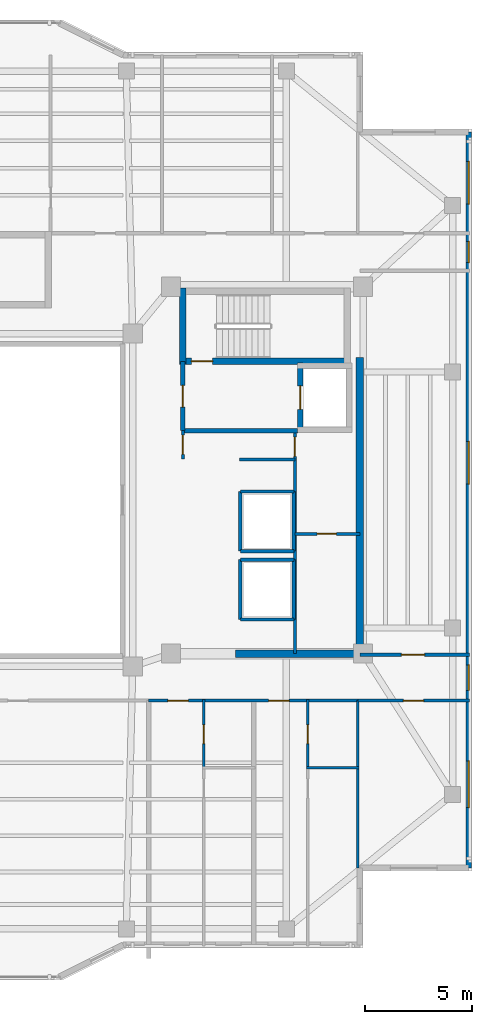
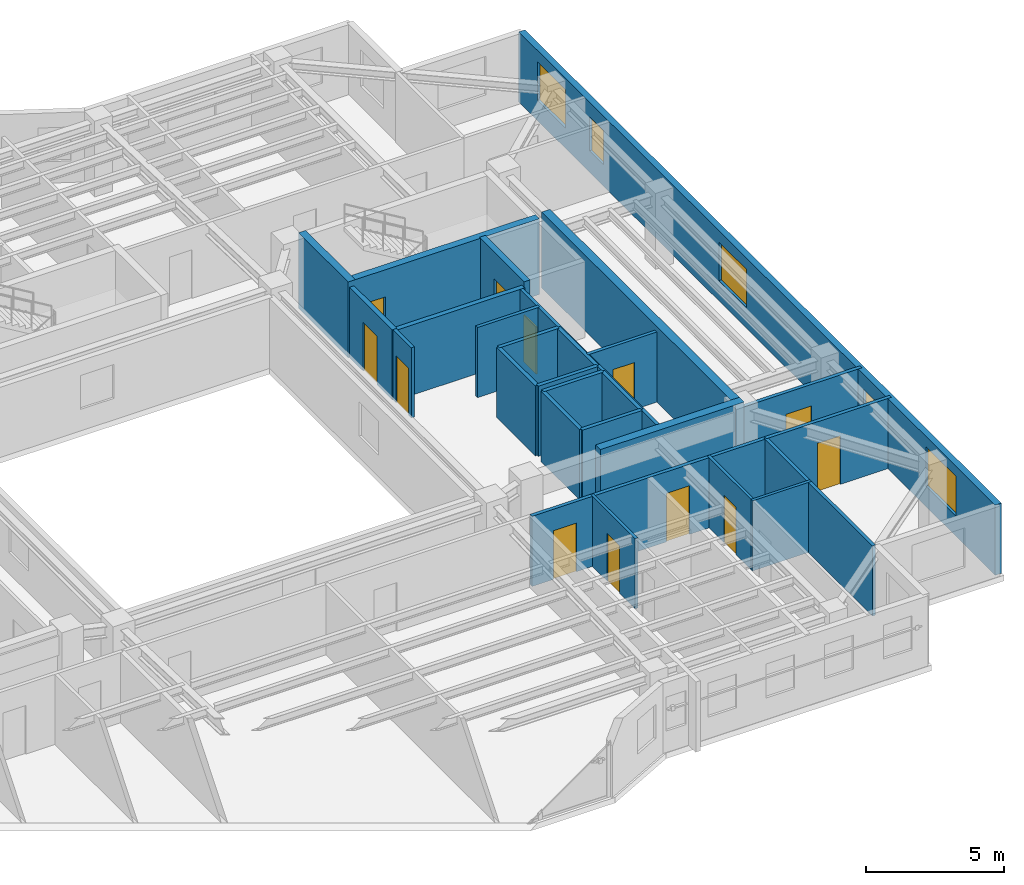
# One storey, part 8 of 13: 27 walls, 12 doors, 5 windows, 17 openings.
"""IFC4 building model written with IfcOpenShell, lengths in metres."""

from ifc_helpers import new_model, si_unit, direction, frame, frame_2d, origin, place, context, subcontext, project, spatial, rectangle, extrude, material, layer, layer_set, type_object, element, fill, save


model = new_model("IFC4")

# Units and contexts
model_context = context("Model", 3, precision=1e-05, world=origin(), true_north=direction((0.0, 1.0)))
body_context = subcontext(model_context, "Body", "Model", "MODEL_VIEW")
ifc_project = project(units=[si_unit("LENGTHUNIT", "METRE"), si_unit("AREAUNIT", "SQUARE_METRE"), si_unit("VOLUMEUNIT", "CUBIC_METRE"), si_unit("PLANEANGLEUNIT", "RADIAN"), si_unit("MASSUNIT", "GRAM", prefix="KILO")], contexts=[model_context])

# Site, building, storey
site_placement = place(None, origin())
site = spatial("IfcSite", under=ifc_project, at=site_placement, CompositionType="ELEMENT")
building_placement = place(site_placement, origin())
building = spatial("IfcBuilding", under=site, at=building_placement, Name="Tarnavaz Court Tower", CompositionType="ELEMENT")
storey_placement = place(building_placement, frame((0.0, 0.0, 193.60009765625)))
storey = spatial("IfcBuildingStorey", under=building, at=storey_placement, Name="L52", CompositionType="ELEMENT", Elevation=193.60009765625)

# Wall, opening, door
ifc_material_1 = material(Name="Concrete C50/60", Category="concrete")
ifc_layer_1 = layer(ifc_material_1, 0.25)
ifc_layer_set_1 = layer_set([ifc_layer_1], Name="Concrete C50/60")
wall_type_1 = type_object("IfcWallType", Name="WL-CORE-250-C50", PredefinedType="SHEAR", material=ifc_layer_set_1)
wall_1_placement = place(storey_placement, frame((15.64990234375, 3.175048828125, 0.0), z_axis=(0.0, 0.0, 1.0), x_axis=(0.0, 1.0, 0.0)))
wall_1 = element("IfcWall", 1, at=wall_1_placement, inside=storey, type_object=wall_type_1, Name="L52 Lift FL-E1 Shaft Wall 033", PredefinedType="SHEAR", context=body_context, shape_type="SweptSolid", body=[
    extrude(rectangle(XDim=3.25, YDim=0.25, at=frame_2d((1.625, 0.0))), origin(), (0.0, 0.0, 1.0), 3.349853515625),
])
opening_1_placement = place(wall_1_placement, frame((1.074951171875, 0.0, 0.0)))
opening_1 = element("IfcOpeningElement", 2, at=opening_1_placement, cuts=wall_1, Name="Opening LD1", PredefinedType="OPENING", context=body_context, shape_type="SweptSolid", body=[
    extrude(rectangle(XDim=1.10009765625, YDim=2.14990234375, at=frame_2d((0.550048828125, 1.074951171875))), frame((0.0, 0.135009765625, 0.0), z_axis=(0.0, -1.0, 0.0), x_axis=(1.0, 0.0, 0.0)), (0.0, 0.0, 1.0), 0.27001953125),
])
ifc_material_2 = material(Name="Stainless Steel", Category="steel")
door_type_1 = type_object("IfcDoorType", Name="DR-LD-1100", OperationType="NOTDEFINED", PredefinedType="DOOR", material=ifc_material_2)
door_1_placement = place(opening_1_placement, origin())
door_1 = element("IfcDoor", 3, at=door_1_placement, inside=storey, type_object=door_type_1, Name="L52 Lift Landing Door LD-FL-E1", OperationType="SLIDING_TO_LEFT", OverallHeight=2.14990234375, OverallWidth=1.10009765625, PredefinedType="DOOR", context=body_context, shape_type="SweptSolid", body=[
    extrude(rectangle(XDim=1.10009765625, YDim=2.14990234375, at=frame_2d((0.550048828125, 1.074951171875))), frame((0.0, 0.02490234375, 0.0), z_axis=(0.0, -1.0, 0.0), x_axis=(1.0, 0.0, 0.0)), (0.0, 0.0, 1.0), 0.050048828125),
])
fill(opening_1, door_1)

ifc_layer_2 = layer(ifc_material_1, 0.300048828125)
ifc_layer_set_2 = layer_set([ifc_layer_2], Name="Concrete C50/60")
wall_type_2 = type_object("IfcWallType", Name="WL-CORE-300-C50", PredefinedType="SHEAR", material=ifc_layer_set_2)
wall_2_placement = place(storey_placement, frame((10.0, 6.5, 0.0), z_axis=(0.0, 0.0, 1.0), x_axis=(1.0, 0.0, 0.0)))
wall_2 = element("IfcWall", 4, at=wall_2_placement, inside=storey, type_object=wall_type_2, Name="L52 East Stair Core Wall 006", PredefinedType="SHEAR", context=body_context, shape_type="SweptSolid", body=[
    extrude(rectangle(XDim=8.0, YDim=0.300048828125, at=frame_2d((4.0, 0.0))), origin(), (0.0, 0.0, 1.0), 3.349853515625),
])
opening_2_placement = place(wall_2_placement, frame((0.550048828125, 0.0, 0.0)))
opening_2 = element("IfcOpeningElement", 5, at=opening_2_placement, cuts=wall_2, Name="Opening D01", PredefinedType="OPENING", context=body_context, shape_type="SweptSolid", body=[
    extrude(rectangle(XDim=1.0, YDim=2.14990234375, at=frame_2d((0.5, 1.074951171875))), frame((0.0, 0.159912109375, 0.0), z_axis=(0.0, -1.0, 0.0), x_axis=(1.0, 0.0, 0.0)), (0.0, 0.0, 1.0), 0.320068359375),
])
ifc_material_3 = material(Name="Fire-Rated Hardwood Timber Core", Category="wood")
door_type_2 = type_object("IfcDoorType", Name="DR-FD90-1000", OperationType="NOTDEFINED", PredefinedType="DOOR", material=ifc_material_3)
door_2_placement = place(opening_2_placement, origin())
door_2 = element("IfcDoor", 6, at=door_2_placement, inside=storey, type_object=door_type_2, Name="L52 Stair ST-E1 Exit Door", OperationType="SINGLE_SWING_RIGHT", OverallHeight=2.14990234375, OverallWidth=1.0, PredefinedType="DOOR", context=body_context, shape_type="SweptSolid", body=[
    extrude(rectangle(XDim=1.0, YDim=2.14990234375, at=frame_2d((0.5, 1.074951171875))), frame((0.0, 0.02490234375, 0.0), z_axis=(0.0, -1.0, 0.0), x_axis=(1.0, 0.0, 0.0)), (0.0, 0.0, 1.0), 0.050048828125),
])
fill(opening_2, door_2)

# Walls
wall_3_placement = place(storey_placement, frame((10.14990234375, 6.35009765625, 0.0), z_axis=(0.0, 0.0, 1.0), x_axis=(0.0, 1.0, 0.0)))
element("IfcWall", 7, at=wall_3_placement, inside=storey, type_object=wall_type_2, Name="L52 East Stair Core Wall 007", PredefinedType="SHEAR", context=body_context, shape_type="SweptSolid", body=[
    extrude(rectangle(XDim=3.58984375, YDim=0.300048828125, at=frame_2d((1.794921875, 0.0))), origin(), (0.0, 0.0, 1.0), 3.349853515625),
])
ifc_layer_3 = layer(ifc_material_1, 0.35009765625)
ifc_layer_set_3 = layer_set([ifc_layer_3], Name="Concrete C50/60")
wall_type_3 = type_object("IfcWallType", Name="WL-CORE-350-C50", PredefinedType="SHEAR", material=ifc_layer_set_3)
wall_4_placement = place(storey_placement, frame((18.449951171875, -7.375, 0.0), z_axis=(0.0, 0.0, 1.0), x_axis=(0.0, 1.0, 0.0)))
element("IfcWall", 8, at=wall_4_placement, inside=storey, type_object=wall_type_3, Name="L52 East Core Shear Wall 047", PredefinedType="SHEAR", context=body_context, shape_type="SweptSolid", body=[
    extrude(rectangle(XDim=14.050048828125, YDim=0.35009765625, at=frame_2d((7.02490234375, 0.0))), origin(), (0.0, 0.0, 1.0), 3.349853515625),
])
wall_5_placement = place(storey_placement, frame((12.625, -7.199951171875, 0.0), z_axis=(0.0, 0.0, 1.0), x_axis=(1.0, 0.0, 0.0)))
element("IfcWall", 9, at=wall_5_placement, inside=storey, type_object=wall_type_3, Name="L52 East Core South Shear Wall 048", PredefinedType="SHEAR", context=body_context, shape_type="SweptSolid", body=[
    extrude(rectangle(XDim=6.0, YDim=0.35009765625, at=frame_2d((3.0, 0.0))), origin(), (0.0, 0.0, 1.0), 3.349853515625),
])

# Wall, openings, windows
ifc_material_4 = material(Name="Precast Concrete C40/50", Category="concrete")
ifc_layer_4 = layer(ifc_material_4, 0.260009765625)
ifc_layer_set_4 = layer_set([ifc_layer_4], Name="Precast Concrete C40/50")
wall_type_4 = type_object("IfcWallType", Name="WL-EXT-260", PredefinedType="SOLIDWALL", material=ifc_layer_set_4)
wall_6_placement = place(storey_placement, frame((23.550048828125, 17.25, 0.0), z_axis=(0.0, 0.0, 1.0), x_axis=(0.0, -1.0, 0.0)))
wall_6 = element("IfcWall", 10, at=wall_6_placement, inside=storey, type_object=wall_type_4, Name="L52 Exterior Terracotta Facade Wall 12", PredefinedType="SOLIDWALL", context=body_context, shape_type="SweptSolid", body=[
    extrude(rectangle(XDim=34.5, YDim=0.260009765625, at=frame_2d((17.25, 0.0))), origin(), (0.0, 0.0, 1.0), 3.099853515625),
])
opening_3_placement = place(wall_6_placement, frame((1.375, 0.0, 0.89990234375)))
opening_3 = element("IfcOpeningElement", 11, at=opening_3_placement, cuts=wall_6, Name="Opening W08", PredefinedType="OPENING", context=body_context, shape_type="SweptSolid", body=[
    extrude(rectangle(XDim=2.0, YDim=1.699951171875, at=frame_2d((1.0, 0.85009765625))), frame((0.0, 0.139892578125, 0.0), z_axis=(0.0, -1.0, 0.0), x_axis=(1.0, 0.0, 0.0)), (0.0, 0.0, 1.0), 0.280029296875),
])
opening_4_placement = place(wall_6_placement, frame((5.125, 0.0, 0.949951171875)))
opening_4 = element("IfcOpeningElement", 12, at=opening_4_placement, cuts=wall_6, Name="Opening W14", PredefinedType="OPENING", context=body_context, shape_type="SweptSolid", body=[
    extrude(rectangle(XDim=1.0, YDim=1.5, at=frame_2d((0.5, 0.75))), frame((0.0, 0.139892578125, 0.0), z_axis=(0.0, -1.0, 0.0), x_axis=(1.0, 0.0, 0.0)), (0.0, 0.0, 1.0), 0.280029296875),
])
opening_5_placement = place(wall_6_placement, frame((14.5, 0.0, 0.89990234375)))
opening_5 = element("IfcOpeningElement", 13, at=opening_5_placement, cuts=wall_6, Name="Opening W08", PredefinedType="OPENING", context=body_context, shape_type="SweptSolid", body=[
    extrude(rectangle(XDim=2.0, YDim=1.699951171875, at=frame_2d((1.0, 0.85009765625))), frame((0.0, 0.139892578125, 0.0), z_axis=(0.0, -1.0, 0.0), x_axis=(1.0, 0.0, 0.0)), (0.0, 0.0, 1.0), 0.280029296875),
])
opening_6_placement = place(wall_6_placement, frame((24.97509765625, 0.0, 0.949951171875)))
opening_6 = element("IfcOpeningElement", 14, at=opening_6_placement, cuts=wall_6, Name="Opening W05", PredefinedType="OPENING", context=body_context, shape_type="SweptSolid", body=[
    extrude(rectangle(XDim=1.199951171875, YDim=1.5, at=frame_2d((0.60009765625, 0.75))), frame((0.0, 0.139892578125, 0.0), z_axis=(0.0, -1.0, 0.0), x_axis=(1.0, 0.0, 0.0)), (0.0, 0.0, 1.0), 0.280029296875),
])
opening_7_placement = place(wall_6_placement, frame((29.47509765625, 0.0, 0.89990234375)))
opening_7 = element("IfcOpeningElement", 15, at=opening_7_placement, cuts=wall_6, Name="Opening W07", PredefinedType="OPENING", context=body_context, shape_type="SweptSolid", body=[
    extrude(rectangle(XDim=2.199951171875, YDim=1.75, at=frame_2d((1.10009765625, 0.875))), frame((0.0, 0.139892578125, 0.0), z_axis=(0.0, -1.0, 0.0), x_axis=(1.0, 0.0, 0.0)), (0.0, 0.0, 1.0), 0.280029296875),
])
ifc_material_5 = material(Name="Double-Glazed Solar Low-E Glass", Category="glass")
window_type_1 = type_object("IfcWindowType", Name="WN-APT-1000", PartitioningType="SINGLE_PANEL", PredefinedType="WINDOW", material=ifc_material_5)
window_1_placement = place(opening_4_placement, origin())
window_1 = element("IfcWindow", 16, at=window_1_placement, inside=storey, type_object=window_type_1, Name="L52 North-East Corner Corridor Window", OverallHeight=1.5, OverallWidth=1.0, PartitioningType="SINGLE_PANEL", PredefinedType="WINDOW", context=body_context, shape_type="SweptSolid", body=[
    extrude(rectangle(XDim=1.0, YDim=1.5, at=frame_2d((0.5, 0.75))), frame((0.0, 0.030029296875, 0.0), z_axis=(0.0, -1.0, 0.0), x_axis=(1.0, 0.0, 0.0)), (0.0, 0.0, 1.0), 0.06005859375),
])
fill(opening_4, window_1)
window_type_2 = type_object("IfcWindowType", Name="WN-APT-1200", PartitioningType="SINGLE_PANEL", PredefinedType="WINDOW", material=ifc_material_5)
window_2_placement = place(opening_6_placement, origin())
window_2 = element("IfcWindow", 17, at=window_2_placement, inside=storey, type_object=window_type_2, Name="L52 South-East Corner Corridor Window", OverallHeight=1.5, OverallWidth=1.199951171875, PartitioningType="SINGLE_PANEL", PredefinedType="WINDOW", context=body_context, shape_type="SweptSolid", body=[
    extrude(rectangle(XDim=1.199951171875, YDim=1.5, at=frame_2d((0.60009765625, 0.75))), frame((0.0, 0.030029296875, 0.0), z_axis=(0.0, -1.0, 0.0), x_axis=(1.0, 0.0, 0.0)), (0.0, 0.0, 1.0), 0.06005859375),
])
fill(opening_6, window_2)
window_type_3 = type_object("IfcWindowType", Name="WN-APT-2000", PartitioningType="DOUBLE_PANEL_VERTICAL", PredefinedType="WINDOW", material=ifc_material_5)
window_3_placement = place(opening_3_placement, origin())
window_3 = element("IfcWindow", 18, at=window_3_placement, inside=storey, type_object=window_type_3, Name="L52 North-East Corner Sunroom Study Window", OverallHeight=1.699951171875, OverallWidth=2.0, PartitioningType="SINGLE_PANEL", PredefinedType="WINDOW", context=body_context, shape_type="SweptSolid", body=[
    extrude(rectangle(XDim=2.0, YDim=1.699951171875, at=frame_2d((1.0, 0.85009765625))), frame((0.0, 0.030029296875, 0.0), z_axis=(0.0, -1.0, 0.0), x_axis=(1.0, 0.0, 0.0)), (0.0, 0.0, 1.0), 0.06005859375),
])
fill(opening_3, window_3)
window_4_placement = place(opening_5_placement, origin())
window_4 = element("IfcWindow", 19, at=window_4_placement, inside=storey, type_object=window_type_3, Name="L52 East Wing Resident Fitness Lounge Window", OverallHeight=1.699951171875, OverallWidth=2.0, PartitioningType="SINGLE_PANEL", PredefinedType="WINDOW", context=body_context, shape_type="SweptSolid", body=[
    extrude(rectangle(XDim=2.0, YDim=1.699951171875, at=frame_2d((1.0, 0.85009765625))), frame((0.0, 0.030029296875, 0.0), z_axis=(0.0, -1.0, 0.0), x_axis=(1.0, 0.0, 0.0)), (0.0, 0.0, 1.0), 0.06005859375),
])
fill(opening_5, window_4)
window_type_4 = type_object("IfcWindowType", Name="WN-APT-2200", PartitioningType="TRIPLE_PANEL_VERTICAL", PredefinedType="WINDOW", material=ifc_material_5)
window_5_placement = place(opening_7_placement, origin())
window_5 = element("IfcWindow", 20, at=window_5_placement, inside=storey, type_object=window_type_4, Name="L52 South-East Corner Reading Room Window", OverallHeight=1.75, OverallWidth=2.199951171875, PartitioningType="SINGLE_PANEL", PredefinedType="WINDOW", context=body_context, shape_type="SweptSolid", body=[
    extrude(rectangle(XDim=2.199951171875, YDim=1.75, at=frame_2d((1.10009765625, 0.875))), frame((0.0, 0.030029296875, 0.0), z_axis=(0.0, -1.0, 0.0), x_axis=(1.0, 0.0, 0.0)), (0.0, 0.0, 1.0), 0.06005859375),
])
fill(opening_7, window_5)

# Wall, openings, doors
ifc_material_6 = material(Name="Gypsum Fire-Board on Acoustic Metal Stud", Category="masonry")
ifc_layer_5 = layer(ifc_material_6, 0.14990234375)
ifc_layer_set_5 = layer_set([ifc_layer_5], Name="Gypsum Fire-Board on Acoustic Metal Stud")
wall_type_5 = type_object("IfcWallType", Name="WL-FIRE-150", PredefinedType="PARTITIONING", material=ifc_layer_set_5)
wall_7_placement = place(storey_placement, frame((8.550048828125, -9.39990234375, 0.0), z_axis=(0.0, 0.0, 1.0), x_axis=(1.0, 0.0, 0.0)))
wall_7 = element("IfcWall", 21, at=wall_7_placement, inside=storey, type_object=wall_type_5, Name="L52 SE Lobby Wall 060", PredefinedType="PARTITIONING", context=body_context, shape_type="SweptSolid", body=[
    extrude(rectangle(XDim=9.800048828125, YDim=0.14990234375, at=frame_2d((4.89990234375, 0.0))), origin(), (0.0, 0.0, 1.0), 3.099853515625),
])
opening_8_placement = place(wall_7_placement, frame((0.89990234375, 0.0, 0.0)))
opening_8 = element("IfcOpeningElement", 22, at=opening_8_placement, cuts=wall_7, Name="Opening D06", PredefinedType="OPENING", context=body_context, shape_type="SweptSolid", body=[
    extrude(rectangle(XDim=0.9599609375, YDim=2.14990234375, at=frame_2d((0.47998046875, 1.074951171875))), frame((0.0, 0.0849609375, 0.0), z_axis=(0.0, -1.0, 0.0), x_axis=(1.0, 0.0, 0.0)), (0.0, 0.0, 1.0), 0.169921875),
])
opening_9_placement = place(wall_7_placement, frame((5.625, 0.0, 0.0)))
opening_9 = element("IfcOpeningElement", 23, at=opening_9_placement, cuts=wall_7, Name="Opening D06", PredefinedType="OPENING", context=body_context, shape_type="SweptSolid", body=[
    extrude(rectangle(XDim=0.9599609375, YDim=2.14990234375, at=frame_2d((0.47998046875, 1.074951171875))), frame((0.0, 0.0849609375, 0.0), z_axis=(0.0, -1.0, 0.0), x_axis=(1.0, 0.0, 0.0)), (0.0, 0.0, 1.0), 0.169921875),
])
door_type_3 = type_object("IfcDoorType", Name="DR-FD60-950", OperationType="NOTDEFINED", PredefinedType="DOOR", material=ifc_material_3)
door_3_placement = place(opening_8_placement, origin())
door_3 = element("IfcDoor", 24, at=door_3_placement, inside=storey, type_object=door_type_3, Name="L52 Flat 02 Entrance Door", OperationType="SINGLE_SWING_LEFT", OverallHeight=2.14990234375, OverallWidth=0.9599609375, PredefinedType="DOOR", context=body_context, shape_type="SweptSolid", body=[
    extrude(rectangle(XDim=0.9599609375, YDim=2.14990234375, at=frame_2d((0.47998046875, 1.074951171875))), frame((0.0, 0.02490234375, 0.0), z_axis=(0.0, -1.0, 0.0), x_axis=(1.0, 0.0, 0.0)), (0.0, 0.0, 1.0), 0.050048828125),
])
fill(opening_8, door_3)
door_4_placement = place(opening_9_placement, origin())
door_4 = element("IfcDoor", 25, at=door_4_placement, inside=storey, type_object=door_type_3, Name="L52 Flat 03 Entrance Door", OperationType="SINGLE_SWING_RIGHT", OverallHeight=2.14990234375, OverallWidth=0.9599609375, PredefinedType="DOOR", context=body_context, shape_type="SweptSolid", body=[
    extrude(rectangle(XDim=0.9599609375, YDim=2.14990234375, at=frame_2d((0.47998046875, 1.074951171875))), frame((0.0, 0.02490234375, 0.0), z_axis=(0.0, -1.0, 0.0), x_axis=(1.0, 0.0, 0.0)), (0.0, 0.0, 1.0), 0.050048828125),
])
fill(opening_9, door_4)

# Wall, opening, door
wall_8_placement = place(storey_placement, frame((18.449951171875, -7.25, 0.0), z_axis=(0.0, 0.0, 1.0), x_axis=(1.0, 0.0, 0.0)))
wall_8 = element("IfcWall", 26, at=wall_8_placement, inside=storey, type_object=wall_type_5, Name="L52 Interior Partition 087", PredefinedType="PARTITIONING", context=body_context, shape_type="SweptSolid", body=[
    extrude(rectangle(XDim=5.130126953125, YDim=0.14990234375, at=frame_2d((2.56494140625, 0.0))), origin(), (0.0, 0.0, 1.0), 3.099853515625),
])
opening_10_placement = place(wall_8_placement, frame((1.949951171875, 0.0, 0.0)))
opening_10 = element("IfcOpeningElement", 27, at=opening_10_placement, cuts=wall_8, Name="Opening D12", PredefinedType="OPENING", context=body_context, shape_type="SweptSolid", body=[
    extrude(rectangle(XDim=1.080078125, YDim=2.14990234375, at=frame_2d((0.5400390625, 1.074951171875))), frame((0.0, 0.0849609375, 0.0), z_axis=(0.0, -1.0, 0.0), x_axis=(1.0, 0.0, 0.0)), (0.0, 0.0, 1.0), 0.169921875),
])
ifc_material_7 = material(Name="Engineered Oak Timber", Category="wood")
door_type_4 = type_object("IfcDoorType", Name="DR-INT-1100", OperationType="NOTDEFINED", PredefinedType="DOOR", material=ifc_material_7)
door_5_placement = place(opening_10_placement, origin())
door_5 = element("IfcDoor", 28, at=door_5_placement, inside=storey, type_object=door_type_4, Name="L52 East Fitness Lounge Door", OperationType="SINGLE_SWING_RIGHT", OverallHeight=2.14990234375, OverallWidth=1.080078125, PredefinedType="DOOR", context=body_context, shape_type="SweptSolid", body=[
    extrude(rectangle(XDim=1.080078125, YDim=2.14990234375, at=frame_2d((0.5400390625, 1.074951171875))), frame((0.0, 0.02490234375, 0.0), z_axis=(0.0, -1.0, 0.0), x_axis=(1.0, 0.0, 0.0)), (0.0, 0.0, 1.0), 0.050048828125),
])
fill(opening_10, door_5)

wall_9_placement = place(storey_placement, frame((18.35009765625, -9.39990234375, 0.0), z_axis=(0.0, 0.0, 1.0), x_axis=(1.0, 0.0, 0.0)))
wall_9 = element("IfcWall", 29, at=wall_9_placement, inside=storey, type_object=wall_type_5, Name="L52 Interior Partition 096", PredefinedType="PARTITIONING", context=body_context, shape_type="SweptSolid", body=[
    extrude(rectangle(XDim=5.22998046875, YDim=0.14990234375, at=frame_2d((2.614990234375, 0.0))), origin(), (0.0, 0.0, 1.0), 3.099853515625),
])
opening_11_placement = place(wall_9_placement, frame((2.139892578125, 0.0, 0.0)))
opening_11 = element("IfcOpeningElement", 30, at=opening_11_placement, cuts=wall_9, Name="Opening D13", PredefinedType="OPENING", context=body_context, shape_type="SweptSolid", body=[
    extrude(rectangle(XDim=0.949951171875, YDim=2.14990234375, at=frame_2d((0.47509765625, 1.074951171875))), frame((0.0, 0.0849609375, 0.0), z_axis=(0.0, -1.0, 0.0), x_axis=(1.0, 0.0, 0.0)), (0.0, 0.0, 1.0), 0.169921875),
])
door_type_5 = type_object("IfcDoorType", Name="DR-INT-950", OperationType="NOTDEFINED", PredefinedType="DOOR", material=ifc_material_7)
door_6_placement = place(opening_11_placement, origin())
door_6 = element("IfcDoor", 31, at=door_6_placement, inside=storey, type_object=door_type_5, Name="L52 SE Reading Room Door", OperationType="SINGLE_SWING_RIGHT", OverallHeight=2.14990234375, OverallWidth=0.949951171875, PredefinedType="DOOR", context=body_context, shape_type="SweptSolid", body=[
    extrude(rectangle(XDim=0.949951171875, YDim=2.14990234375, at=frame_2d((0.47509765625, 1.074951171875))), frame((0.0, 0.02490234375, 0.0), z_axis=(0.0, -1.0, 0.0), x_axis=(1.0, 0.0, 0.0)), (0.0, 0.0, 1.0), 0.050048828125),
])
fill(opening_11, door_6)

# Wall
ifc_material_8 = material(Name="Autoclaved Aerated Concrete Blockwork", Category="masonry")
ifc_layer_6 = layer(ifc_material_8, 0.199951171875)
ifc_layer_set_6 = layer_set([ifc_layer_6], Name="Autoclaved Aerated Concrete Blockwork")
wall_type_6 = type_object("IfcWallType", Name="WL-FIRE-200", PredefinedType="SOLIDWALL", material=ifc_layer_set_6)
wall_10_placement = place(storey_placement, frame((10.14990234375, 3.25, 0.0), z_axis=(0.0, 0.0, 1.0), x_axis=(1.0, 0.0, 0.0)))
element("IfcWall", 32, at=wall_10_placement, inside=storey, type_object=wall_type_6, Name="L52 East Firefighting Lobby Wall 015", PredefinedType="SOLIDWALL", context=body_context, shape_type="SweptSolid", body=[
    extrude(rectangle(XDim=5.400146484375, YDim=0.199951171875, at=frame_2d((2.7001953125, 0.0))), origin(), (0.0, 0.0, 1.0), 3.099853515625),
])

# Wall, opening, door
wall_11_placement = place(storey_placement, frame((10.14990234375, 3.25, 0.0), z_axis=(0.0, 0.0, 1.0), x_axis=(0.0, 1.0, 0.0)))
wall_11 = element("IfcWall", 33, at=wall_11_placement, inside=storey, type_object=wall_type_6, Name="L52 East Firefighting Lobby Wall 016", PredefinedType="SOLIDWALL", context=body_context, shape_type="SweptSolid", body=[
    extrude(rectangle(XDim=3.25, YDim=0.199951171875, at=frame_2d((1.625, 0.0))), origin(), (0.0, 0.0, 1.0), 3.099853515625),
])
opening_12_placement = place(wall_11_placement, frame((1.10009765625, 0.0, 0.0)))
opening_12 = element("IfcOpeningElement", 34, at=opening_12_placement, cuts=wall_11, Name="Opening D05", PredefinedType="OPENING", context=body_context, shape_type="SweptSolid", body=[
    extrude(rectangle(XDim=1.02001953125, YDim=2.14990234375, at=frame_2d((0.510009765625, 1.074951171875))), frame((0.0, 0.10986328125, 0.0), z_axis=(0.0, -1.0, 0.0), x_axis=(1.0, 0.0, 0.0)), (0.0, 0.0, 1.0), 0.219970703125),
])
door_type_6 = type_object("IfcDoorType", Name="DR-FD60-1000", OperationType="NOTDEFINED", PredefinedType="DOOR", material=ifc_material_3)
door_7_placement = place(opening_12_placement, origin())
door_7 = element("IfcDoor", 35, at=door_7_placement, inside=storey, type_object=door_type_6, Name="L52 East Firefighting Lobby Door", OperationType="SINGLE_SWING_LEFT", OverallHeight=2.14990234375, OverallWidth=1.02001953125, PredefinedType="DOOR", context=body_context, shape_type="SweptSolid", body=[
    extrude(rectangle(XDim=1.02001953125, YDim=2.14990234375, at=frame_2d((0.510009765625, 1.074951171875))), frame((0.0, 0.02490234375, 0.0), z_axis=(0.0, -1.0, 0.0), x_axis=(1.0, 0.0, 0.0)), (0.0, 0.0, 1.0), 0.050048828125),
])
fill(opening_12, door_7)

ifc_material_9 = material(Name="Moisture-Resistant Gypsum Board Partition", Category="masonry")
ifc_layer_7 = layer(ifc_material_9, 0.1201171875)
ifc_layer_set_7 = layer_set([ifc_layer_7], Name="Moisture-Resistant Gypsum Board Partition")
wall_type_7 = type_object("IfcWallType", Name="WL-PART-120", PredefinedType="PARTITIONING", material=ifc_layer_set_7)
wall_12_placement = place(storey_placement, frame((11.133056640625, -12.56005859375, 0.0), z_axis=(0.0, 0.0, 1.0), x_axis=(0.0, 1.0, 0.0)))
wall_12 = element("IfcWall", 36, at=wall_12_placement, inside=storey, type_object=wall_type_7, Name="L52 Interior Partition 076", PredefinedType="PARTITIONING", context=body_context, shape_type="SweptSolid", body=[
    extrude(rectangle(XDim=3.219970703125, YDim=0.1201171875, at=frame_2d((1.60986328125, 0.0))), origin(), (0.0, 0.0, 1.0), 3.099853515625),
])
opening_13_placement = place(wall_12_placement, frame((1.139892578125, 0.0, 0.0)))
opening_13 = element("IfcOpeningElement", 37, at=opening_13_placement, cuts=wall_12, Name="Opening D14", PredefinedType="OPENING", context=body_context, shape_type="SweptSolid", body=[
    extrude(rectangle(XDim=0.8798828125, YDim=2.10009765625, at=frame_2d((0.43994140625, 1.050048828125))), frame((0.0, 0.070068359375, 0.0), z_axis=(0.0, -1.0, 0.0), x_axis=(1.0, 0.0, 0.0)), (0.0, 0.0, 1.0), 0.14013671875),
])
door_type_7 = type_object("IfcDoorType", Name="DR-INT-900", OperationType="NOTDEFINED", PredefinedType="DOOR", material=ifc_material_7)
door_8_placement = place(opening_13_placement, origin())
door_8 = element("IfcDoor", 38, at=door_8_placement, inside=storey, type_object=door_type_7, Name="L52 Flat 02 Bathroom Door", OperationType="SINGLE_SWING_LEFT", OverallHeight=2.10009765625, OverallWidth=0.8798828125, PredefinedType="DOOR", context=body_context, shape_type="SweptSolid", body=[
    extrude(rectangle(XDim=0.8798828125, YDim=2.10009765625, at=frame_2d((0.43994140625, 1.050048828125))), frame((0.0, 0.02490234375, 0.0), z_axis=(0.0, -1.0, 0.0), x_axis=(1.0, 0.0, 0.0)), (0.0, 0.0, 1.0), 0.050048828125),
])
fill(opening_13, door_8)

wall_13_placement = place(storey_placement, frame((16.008056640625, -12.56005859375, 0.0), z_axis=(0.0, 0.0, 1.0), x_axis=(0.0, 1.0, 0.0)))
wall_13 = element("IfcWall", 39, at=wall_13_placement, inside=storey, type_object=wall_type_7, Name="L52 Interior Partition 079", PredefinedType="PARTITIONING", context=body_context, shape_type="SweptSolid", body=[
    extrude(rectangle(XDim=3.219970703125, YDim=0.1201171875, at=frame_2d((1.60986328125, 0.0))), origin(), (0.0, 0.0, 1.0), 3.099853515625),
])
opening_14_placement = place(wall_13_placement, frame((1.139892578125, 0.0, 0.0)))
opening_14 = element("IfcOpeningElement", 40, at=opening_14_placement, cuts=wall_13, Name="Opening D14", PredefinedType="OPENING", context=body_context, shape_type="SweptSolid", body=[
    extrude(rectangle(XDim=0.8798828125, YDim=2.10009765625, at=frame_2d((0.43994140625, 1.050048828125))), frame((0.0, 0.070068359375, 0.0), z_axis=(0.0, -1.0, 0.0), x_axis=(1.0, 0.0, 0.0)), (0.0, 0.0, 1.0), 0.14013671875),
])
door_9_placement = place(opening_14_placement, origin())
door_9 = element("IfcDoor", 41, at=door_9_placement, inside=storey, type_object=door_type_7, Name="L52 Flat 03 Bathroom Door", OperationType="SINGLE_SWING_RIGHT", OverallHeight=2.10009765625, OverallWidth=0.8798828125, PredefinedType="DOOR", context=body_context, shape_type="SweptSolid", body=[
    extrude(rectangle(XDim=0.8798828125, YDim=2.10009765625, at=frame_2d((0.43994140625, 1.050048828125))), frame((0.0, 0.02490234375, 0.0), z_axis=(0.0, -1.0, 0.0), x_axis=(1.0, 0.0, 0.0)), (0.0, 0.0, 1.0), 0.050048828125),
])
fill(opening_14, door_9)

# Walls
wall_14_placement = place(storey_placement, frame((15.947998046875, -12.56005859375, 0.0), z_axis=(0.0, 0.0, 1.0), x_axis=(1.0, 0.0, 0.0)))
element("IfcWall", 42, at=wall_14_placement, inside=storey, type_object=wall_type_7, Name="L52 Interior Partition 080", PredefinedType="PARTITIONING", context=body_context, shape_type="SweptSolid", body=[
    extrude(rectangle(XDim=2.4619140625, YDim=0.1201171875, at=frame_2d((1.23095703125, 0.0))), origin(), (0.0, 0.0, 1.0), 3.099853515625),
])
ifc_material_10 = material(Name="Gypsum Plasterboard Acoustic Partition", Category="masonry")
ifc_layer_8 = layer(ifc_material_10, 0.139892578125)
ifc_layer_set_8 = layer_set([ifc_layer_8], Name="Gypsum Plasterboard Acoustic Partition")
wall_type_8 = type_object("IfcWallType", Name="WL-PART-150", PredefinedType="PARTITIONING", material=ifc_layer_set_8)
wall_15_placement = place(storey_placement, frame((12.800048828125, 1.89990234375, 0.0), z_axis=(0.0, 0.0, 1.0), x_axis=(1.0, 0.0, 0.0)))
element("IfcWall", 43, at=wall_15_placement, inside=storey, type_object=wall_type_8, Name="L52 Interior Partition 053", PredefinedType="PARTITIONING", context=body_context, shape_type="SweptSolid", body=[
    extrude(rectangle(XDim=2.599853515625, YDim=0.139892578125, at=frame_2d((1.2998046875, 0.0))), origin(), (0.0, 0.0, 1.0), 3.099853515625),
])

# Wall, opening, door
wall_16_placement = place(storey_placement, frame((10.14990234375, 1.919921875, 0.0), z_axis=(0.0, 0.0, 1.0), x_axis=(0.0, 1.0, 0.0)))
wall_16 = element("IfcWall", 44, at=wall_16_placement, inside=storey, type_object=wall_type_8, Name="L52 Interior Partition 054", PredefinedType="PARTITIONING", context=body_context, shape_type="SweptSolid", body=[
    extrude(rectangle(XDim=1.330078125, YDim=0.139892578125, at=frame_2d((0.6650390625, 0.0))), origin(), (0.0, 0.0, 1.0), 3.099853515625),
])
opening_15_placement = place(wall_16_placement, frame((0.219970703125, 0.0, 0.0)))
opening_15 = element("IfcOpeningElement", 45, at=opening_15_placement, cuts=wall_16, Name="Opening D09", PredefinedType="OPENING", context=body_context, shape_type="SweptSolid", body=[
    extrude(rectangle(XDim=0.89990234375, YDim=2.080078125, at=frame_2d((0.449951171875, 1.0400390625))), frame((0.0, 0.079833984375, 0.0), z_axis=(0.0, -1.0, 0.0), x_axis=(1.0, 0.0, 0.0)), (0.0, 0.0, 1.0), 0.159912109375),
])
door_type_8 = type_object("IfcDoorType", Name="DR-FD30-900", OperationType="NOTDEFINED", PredefinedType="DOOR", material=ifc_material_3)
door_10_placement = place(opening_15_placement, origin())
door_10 = element("IfcDoor", 46, at=door_10_placement, inside=storey, type_object=door_type_8, Name="L52 East Core Service Lobby Door", OperationType="SINGLE_SWING_RIGHT", OverallHeight=2.080078125, OverallWidth=0.89990234375, PredefinedType="DOOR", context=body_context, shape_type="SweptSolid", body=[
    extrude(rectangle(XDim=0.89990234375, YDim=2.080078125, at=frame_2d((0.449951171875, 1.0400390625))), frame((0.0, 0.02490234375, 0.0), z_axis=(0.0, -1.0, 0.0), x_axis=(1.0, 0.0, 0.0)), (0.0, 0.0, 1.0), 0.050048828125),
])
fill(opening_15, door_10)

wall_17_placement = place(storey_placement, frame((15.39990234375, -7.199951171875, 0.0), z_axis=(0.0, 0.0, 1.0), x_axis=(0.0, 1.0, 0.0)))
wall_17 = element("IfcWall", 47, at=wall_17_placement, inside=storey, type_object=wall_type_8, Name="L52 Interior Partition 055", PredefinedType="PARTITIONING", context=body_context, shape_type="SweptSolid", body=[
    extrude(rectangle(XDim=10.449951171875, YDim=0.139892578125, at=frame_2d((5.22509765625, 0.0))), origin(), (0.0, 0.0, 1.0), 3.099853515625),
])
opening_16_placement = place(wall_17_placement, frame((9.25, 0.0, 0.0)))
opening_16 = element("IfcOpeningElement", 48, at=opening_16_placement, cuts=wall_17, Name="Opening D09", PredefinedType="OPENING", context=body_context, shape_type="SweptSolid", body=[
    extrude(rectangle(XDim=0.89990234375, YDim=2.080078125, at=frame_2d((0.449951171875, 1.0400390625))), frame((0.0, 0.079833984375, 0.0), z_axis=(0.0, -1.0, 0.0), x_axis=(1.0, 0.0, 0.0)), (0.0, 0.0, 1.0), 0.159912109375),
])
door_11_placement = place(opening_16_placement, origin())
door_11 = element("IfcDoor", 49, at=door_11_placement, inside=storey, type_object=door_type_8, Name="L52 East Wet Riser Door", OperationType="SINGLE_SWING_LEFT", OverallHeight=2.080078125, OverallWidth=0.89990234375, PredefinedType="DOOR", context=body_context, shape_type="SweptSolid", body=[
    extrude(rectangle(XDim=0.89990234375, YDim=2.080078125, at=frame_2d((0.449951171875, 1.0400390625))), frame((0.0, 0.02490234375, 0.0), z_axis=(0.0, -1.0, 0.0), x_axis=(1.0, 0.0, 0.0)), (0.0, 0.0, 1.0), 0.050048828125),
])
fill(opening_16, door_11)

wall_18_placement = place(storey_placement, frame((15.39990234375, -1.590087890625, 0.0), z_axis=(0.0, 0.0, 1.0), x_axis=(1.0, 0.0, 0.0)))
wall_18 = element("IfcWall", 50, at=wall_18_placement, inside=storey, type_object=wall_type_8, Name="L52 Interior Partition 056", PredefinedType="PARTITIONING", context=body_context, shape_type="SweptSolid", body=[
    extrude(rectangle(XDim=3.050048828125, YDim=0.139892578125, at=frame_2d((1.52490234375, 0.0))), origin(), (0.0, 0.0, 1.0), 3.099853515625),
])
opening_17_placement = place(wall_18_placement, frame((1.050048828125, 0.0, 0.0)))
opening_17 = element("IfcOpeningElement", 51, at=opening_17_placement, cuts=wall_18, Name="Opening D09", PredefinedType="OPENING", context=body_context, shape_type="SweptSolid", body=[
    extrude(rectangle(XDim=0.89990234375, YDim=2.080078125, at=frame_2d((0.449951171875, 1.0400390625))), frame((0.0, 0.079833984375, 0.0), z_axis=(0.0, -1.0, 0.0), x_axis=(1.0, 0.0, 0.0)), (0.0, 0.0, 1.0), 0.159912109375),
])
door_12_placement = place(opening_17_placement, origin())
door_12 = element("IfcDoor", 52, at=door_12_placement, inside=storey, type_object=door_type_8, Name="L52 East Electrical Plant Door", OperationType="SINGLE_SWING_RIGHT", OverallHeight=2.080078125, OverallWidth=0.89990234375, PredefinedType="DOOR", context=body_context, shape_type="SweptSolid", body=[
    extrude(rectangle(XDim=0.89990234375, YDim=2.080078125, at=frame_2d((0.449951171875, 1.0400390625))), frame((0.0, 0.02490234375, 0.0), z_axis=(0.0, -1.0, 0.0), x_axis=(1.0, 0.0, 0.0)), (0.0, 0.0, 1.0), 0.050048828125),
])
fill(opening_17, door_12)

# Walls
wall_19_placement = place(storey_placement, frame((18.35009765625, -17.25, 0.0), z_axis=(0.0, 0.0, 1.0), x_axis=(0.0, 1.0, 0.0)))
element("IfcWall", 53, at=wall_19_placement, inside=storey, type_object=wall_type_8, Name="L52 Interior Partition 090", PredefinedType="PARTITIONING", context=body_context, shape_type="SweptSolid", body=[
    extrude(rectangle(XDim=7.85009765625, YDim=0.139892578125, at=frame_2d((3.925048828125, 0.0))), origin(), (0.0, 0.0, 1.0), 3.099853515625),
])
ifc_layer_9 = layer(ifc_material_8, 0.159912109375)
ifc_layer_set_9 = layer_set([ifc_layer_9], Name="Autoclaved Aerated Concrete Blockwork")
wall_type_9 = type_object("IfcWallType", Name="WL-SHAFT-150", PredefinedType="SOLIDWALL", material=ifc_layer_set_9)
for number, where, z_axis, x_axis, name in (
    (54, (12.85009765625, -5.60009765625, 0.0), (0.0, 0.0, 1.0), (0.0, 1.0, 0.0), "L52 Lift PL-OB1 Shaft Wall 037"),
    (55, (15.35009765625, -5.60009765625, 0.0), (0.0, 0.0, 1.0), (0.0, 1.0, 0.0), "L52 Lift PL-OB1 Shaft Wall 038"),
):
    element("IfcWall", number, at=place(storey_placement, frame(where, z_axis=z_axis, x_axis=x_axis)), inside=storey, type_object=wall_type_9, Name=name, PredefinedType="SOLIDWALL", context=body_context, shape_type="SweptSolid", body=[
        extrude(rectangle(XDim=2.800048828125, YDim=0.159912109375, at=frame_2d((1.39990234375, 0.0))), origin(), (0.0, 0.0, 1.0), 3.099853515625),
    ])
for number, where, z_axis, x_axis, name in (
    (56, (12.85009765625, -5.60009765625, 0.0), (0.0, 0.0, 1.0), (1.0, 0.0, 0.0), "L52 Lift PL-OB1 Shaft Wall 039"),
    (57, (12.85009765625, -2.800048828125, 0.0), (0.0, 0.0, 1.0), (1.0, 0.0, 0.0), "L52 Lift PL-OB1 Shaft Wall 040"),
):
    element("IfcWall", number, at=place(storey_placement, frame(where, z_axis=z_axis, x_axis=x_axis)), inside=storey, type_object=wall_type_9, Name=name, PredefinedType="SOLIDWALL", context=body_context, shape_type="SweptSolid", body=[
        extrude(rectangle(XDim=2.5, YDim=0.159912109375, at=frame_2d((1.25, 0.0))), origin(), (0.0, 0.0, 1.0), 3.099853515625),
    ])
for number, where, z_axis, x_axis, name in (
    (58, (12.85009765625, -2.39990234375, 0.0), (0.0, 0.0, 1.0), (0.0, 1.0, 0.0), "L52 Lift PL-OB2 Shaft Wall 041"),
    (59, (15.35009765625, -2.39990234375, 0.0), (0.0, 0.0, 1.0), (0.0, 1.0, 0.0), "L52 Lift PL-OB2 Shaft Wall 042"),
):
    element("IfcWall", number, at=place(storey_placement, frame(where, z_axis=z_axis, x_axis=x_axis)), inside=storey, type_object=wall_type_9, Name=name, PredefinedType="SOLIDWALL", context=body_context, shape_type="SweptSolid", body=[
        extrude(rectangle(XDim=2.7998046875, YDim=0.159912109375, at=frame_2d((1.39990234375, 0.0))), origin(), (0.0, 0.0, 1.0), 3.099853515625),
    ])
for number, where, z_axis, x_axis, name in (
    (60, (12.85009765625, -2.39990234375, 0.0), (0.0, 0.0, 1.0), (1.0, 0.0, 0.0), "L52 Lift PL-OB2 Shaft Wall 043"),
    (61, (12.85009765625, 0.39990234375, 0.0), (0.0, 0.0, 1.0), (1.0, 0.0, 0.0), "L52 Lift PL-OB2 Shaft Wall 044"),
):
    element("IfcWall", number, at=place(storey_placement, frame(where, z_axis=z_axis, x_axis=x_axis)), inside=storey, type_object=wall_type_9, Name=name, PredefinedType="SOLIDWALL", context=body_context, shape_type="SweptSolid", body=[
        extrude(rectangle(XDim=2.5, YDim=0.159912109375, at=frame_2d((1.25, 0.0))), origin(), (0.0, 0.0, 1.0), 3.099853515625),
    ])

save(model, "model.ifc")
